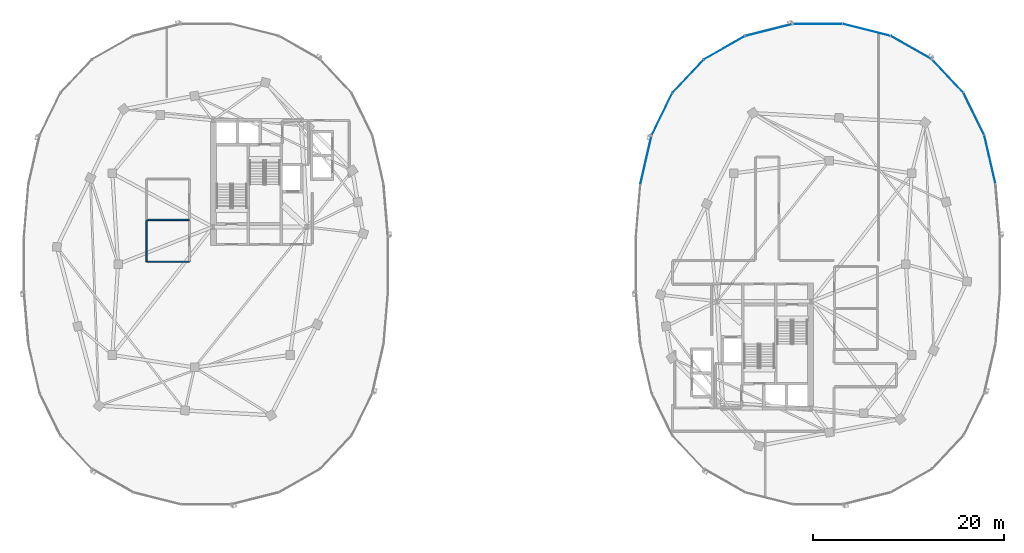
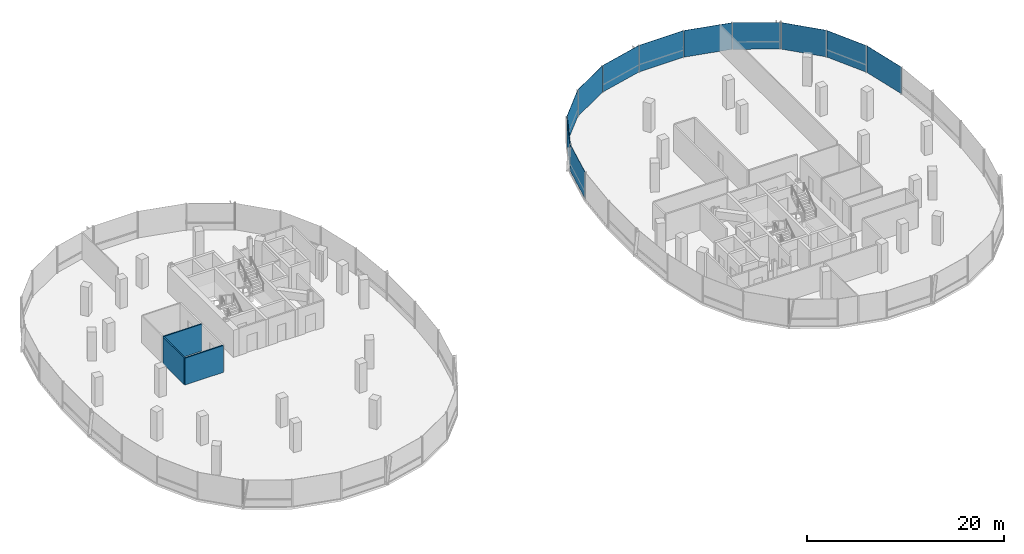
# One storey, part 14 of 24: 11 plates, 3 walls, 2 elements without a shape of their own.
"""IFC4 building model written with IfcOpenShell, lengths in metres."""

from ifc_helpers import new_model, si_unit, direction, frame, frame_2d, origin, origin_2d, place, context, subcontext, project, spatial, rectangle, extrude, material, layer, layer_set, type_object, element, aggregate, save


model = new_model("IFC4")

# Units and contexts
model_context = context("Model", 3, precision=1e-05, world=origin(), true_north=direction((0.0, 1.0)))
body_context = subcontext(model_context, "Body", "Model", "MODEL_VIEW")
ifc_project = project(units=[si_unit("LENGTHUNIT", "METRE"), si_unit("AREAUNIT", "SQUARE_METRE"), si_unit("VOLUMEUNIT", "CUBIC_METRE"), si_unit("PLANEANGLEUNIT", "RADIAN"), si_unit("MASSUNIT", "GRAM", prefix="KILO"), si_unit("THERMODYNAMICTEMPERATUREUNIT", "KELVIN"), si_unit("POWERUNIT", "WATT")], contexts=[model_context])

# Site, building, storey
site_placement = place(None, origin())
site = spatial("IfcSite", under=ifc_project, at=site_placement, CompositionType="ELEMENT")
building_placement = place(site_placement, origin())
building = spatial("IfcBuilding", under=site, at=building_placement, Name="Cundina Bronze Exchange", CompositionType="ELEMENT")
storey_placement = place(building_placement, frame((0.0, 0.0, 227.800048828125)))
storey = spatial("IfcBuildingStorey", under=building, at=storey_placement, Name="L60", CompositionType="ELEMENT", Elevation=227.800048828125)

# Curtain wall, plates
ifc_material_1 = material(Name="Anodised Bronze Aluminium 6063-T6", Category="aluminium")
curtain_wall_type = type_object("IfcCurtainWallType", Name="CWS-UPP-OFF", PredefinedType="NOTDEFINED", material=ifc_material_1)
curtain_wall_1_placement = place(storey_placement, origin())
curtain_wall_1 = element("IfcCurtainWall", 1, at=curtain_wall_1_placement, inside=storey, type_object=curtain_wall_type, Name="L60 CW-05 Curtain Wall Run CWR-L60-E1", PredefinedType="NOTDEFINED")
ifc_material_2 = material(Name="Heat-Strengthened Solar-Control Bronze Safety Glass 28mm", Category="glass")
ifc_layer_1 = layer(ifc_material_2, 0.028076171875, Name="Heat-Strengthened Solar-Control Bronze Safety Glass 28mm", Category="glass")
ifc_layer_set_1 = layer_set([ifc_layer_1], Name="Heat-Strengthened Solar-Control Bronze Safety Glass 28mm")
plate_type_1 = type_object("IfcPlateType", Name="PLT-GLZ-VIS28", PredefinedType="CURTAIN_PANEL", material=ifc_layer_set_1)
plate_1_placement = place(storey_placement, frame((49.98388671875, 10.92578125, 0.02001953125), z_axis=(0.0, 0.0, 1.0), x_axis=(-0.223284141459, 0.974753400698, 0.0)))
plate_1 = element("IfcPlate", 2, at=plate_1_placement, type_object=plate_type_1, Name="CW-05 Glazed Panel 2", PredefinedType="CURTAIN_PANEL", context=body_context, shape_type="SweptSolid", body=[
    extrude(rectangle(XDim=5.167724609375, YDim=0.028076171875, at=origin_2d()), origin(), (0.0, 0.0, 1.0), 3.300048828125),
])
plate_2_placement = place(storey_placement, frame((48.314697265625, 15.686767578125, 0.02001953125), z_axis=(0.0, 0.0, 1.0), x_axis=(-0.440503330345, 0.897750976582, 0.0)))
plate_2 = element("IfcPlate", 3, at=plate_2_placement, type_object=plate_type_1, Name="CW-05 Glazed Panel 3", PredefinedType="CURTAIN_PANEL", context=body_context, shape_type="SweptSolid", body=[
    extrude(rectangle(XDim=4.863525390625, YDim=0.028076171875, at=origin_2d()), origin(), (0.0, 0.0, 1.0), 3.300048828125),
])
plate_3_placement = place(storey_placement, frame((45.5791015625, 19.6552734375, 0.02001953125), z_axis=(0.0, 0.0, 1.0), x_axis=(-0.684343512797, 0.72915976061, 0.0)))
plate_3 = element("IfcPlate", 4, at=plate_3_placement, type_object=plate_type_1, Name="CW-05 Glazed Panel 4", PredefinedType="CURTAIN_PANEL", context=body_context, shape_type="SweptSolid", body=[
    extrude(rectangle(XDim=4.773193359375, YDim=0.028076171875, at=origin_2d()), origin(), (0.0, 0.0, 1.0), 3.300048828125),
])
plate_4_placement = place(storey_placement, frame((37.11279296875, 24.49609375, 0.02001953125), z_axis=(0.0, 0.0, 1.0), x_axis=(-0.969731542251, 0.244173577528, 0.0)))
plate_4 = element("IfcPlate", 5, at=plate_4_placement, type_object=plate_type_1, Name="CW-05 Glazed Panel 6", PredefinedType="CURTAIN_PANEL", context=body_context, shape_type="SweptSolid", body=[
    extrude(rectangle(XDim=5.0908203125, YDim=0.028076171875, at=origin_2d()), origin(), (0.0, 0.0, 1.0), 3.300048828125),
])
plate_5_placement = place(storey_placement, frame((32.0, 25.125, 0.02001953125), z_axis=(0.0, 0.0, 1.0), x_axis=(-1.0, 0.0, 0.0)))
plate_5 = element("IfcPlate", 6, at=plate_5_placement, type_object=plate_type_1, Name="CW-05 Glazed Panel 7", PredefinedType="CURTAIN_PANEL", context=body_context, shape_type="SweptSolid", body=[
    extrude(rectangle(XDim=5.16796875, YDim=0.028076171875, at=origin_2d()), origin(), (0.0, 0.0, 1.0), 3.300048828125),
])

curtain_wall_2_placement = place(storey_placement, origin())
curtain_wall_2 = element("IfcCurtainWall", 7, at=curtain_wall_2_placement, inside=storey, type_object=curtain_wall_type, Name="L60 CW-05 Curtain Wall Run CWR-L60-E2", PredefinedType="NOTDEFINED")
plate_6_placement = place(storey_placement, frame((26.88720703125, 24.49609375, 0.02001953125), z_axis=(0.0, 0.0, 1.0), x_axis=(-0.969731542251, -0.244173577528, 0.0)))
plate_6 = element("IfcPlate", 8, at=plate_6_placement, type_object=plate_type_1, Name="CW-05 Glazed Panel 1", PredefinedType="CURTAIN_PANEL", context=body_context, shape_type="SweptSolid", body=[
    extrude(rectangle(XDim=5.0908203125, YDim=0.028076171875, at=origin_2d()), origin(), (0.0, 0.0, 1.0), 3.300048828125),
])
plate_7_placement = place(storey_placement, frame((22.230712890625, 22.64111328125, 0.02001953125), z_axis=(0.0, 0.0, 1.0), x_axis=(-0.869572506985, -0.493805280547, 0.0)))
plate_7 = element("IfcPlate", 9, at=plate_7_placement, type_object=plate_type_1, Name="CW-05 Glazed Panel 2", PredefinedType="CURTAIN_PANEL", context=body_context, shape_type="SweptSolid", body=[
    extrude(rectangle(XDim=4.907958984375, YDim=0.028076171875, at=origin_2d()), origin(), (0.0, 0.0, 1.0), 3.300048828125),
])
plate_8_placement = place(storey_placement, frame((18.4208984375, 19.6552734375, 0.02001953125), z_axis=(0.0, 0.0, 1.0), x_axis=(-0.684343512797, -0.72915976061, 0.0)))
plate_8 = element("IfcPlate", 10, at=plate_8_placement, type_object=plate_type_1, Name="CW-05 Glazed Panel 3", PredefinedType="CURTAIN_PANEL", context=body_context, shape_type="SweptSolid", body=[
    extrude(rectangle(XDim=4.773193359375, YDim=0.028076171875, at=origin_2d()), origin(), (0.0, 0.0, 1.0), 3.300048828125),
])
plate_9_placement = place(storey_placement, frame((14.01611328125, 10.92578125, 0.02001953125), z_axis=(0.0, 0.0, 1.0), x_axis=(-0.223284141459, -0.974753400698, 0.0)))
plate_9 = element("IfcPlate", 11, at=plate_9_placement, type_object=plate_type_1, Name="CW-05 Glazed Panel 5", PredefinedType="CURTAIN_PANEL", context=body_context, shape_type="SweptSolid", body=[
    extrude(rectangle(XDim=5.167724609375, YDim=0.028076171875, at=origin_2d()), origin(), (0.0, 0.0, 1.0), 3.300048828125),
])

# Plate
ifc_material_3 = material(Name="Dark Bronze Spandrel Glass Panel 32mm", Category="glass")
ifc_layer_2 = layer(ifc_material_3, 0.031982421875, Name="Dark Bronze Spandrel Glass Panel 32mm", Category="glass")
ifc_layer_set_2 = layer_set([ifc_layer_2], Name="Dark Bronze Spandrel Glass Panel 32mm")
plate_type_2 = type_object("IfcPlateType", Name="PLT-SPN-BRZ32", PredefinedType="CURTAIN_PANEL", material=ifc_layer_set_2)
plate_10_placement = place(storey_placement, frame((41.769287109375, 22.64111328125, 0.02001953125), z_axis=(0.0, 0.0, 1.0), x_axis=(-0.869572506985, 0.493805280547, 0.0)))
plate_10 = element("IfcPlate", 12, at=plate_10_placement, type_object=plate_type_2, Name="CW-05 Glazed Panel 5", PredefinedType="CURTAIN_PANEL", context=body_context, shape_type="SweptSolid", body=[
    extrude(rectangle(XDim=4.907958984375, YDim=0.031982421875, at=origin_2d()), origin(), (0.0, 0.0, 1.0), 3.300048828125),
])

aggregate(curtain_wall_1, [plate_1, plate_2, plate_3, plate_10, plate_4, plate_5])

plate_11_placement = place(storey_placement, frame((15.685302734375, 15.686767578125, 0.02001953125), z_axis=(0.0, 0.0, 1.0), x_axis=(-0.440503330345, -0.897750976582, 0.0)))
plate_11 = element("IfcPlate", 13, at=plate_11_placement, type_object=plate_type_2, Name="CW-05 Glazed Panel 4", PredefinedType="CURTAIN_PANEL", context=body_context, shape_type="SweptSolid", body=[
    extrude(rectangle(XDim=4.863525390625, YDim=0.031982421875, at=origin_2d()), origin(), (0.0, 0.0, 1.0), 3.300048828125),
])

aggregate(curtain_wall_2, [plate_6, plate_7, plate_8, plate_11, plate_9])

# Walls
ifc_material_4 = material(Name="Moisture-Resistant Masonry Block Grade M15", Category="masonry")
ifc_layer_3 = layer(ifc_material_4, 0.139892578125, Name="Moisture-Resistant Masonry Block Grade M15", Category="masonry")
ifc_layer_set_3 = layer_set([ifc_layer_3], Name="Moisture-Resistant Masonry Block Grade M15")
wall_type = type_object("IfcWallType", Name="WL-WET-140", PredefinedType="PARTITIONING", material=ifc_layer_set_3)
wall_placement = place(storey_placement, frame((-38.239990234375, 0.27001953125, 0.0), z_axis=(0.0, 0.0, 1.0), x_axis=(0.0, 1.0, 0.0)))
element("IfcWall", 14, at=wall_placement, inside=storey, type_object=wall_type, Name="L60 Interior Partition 009", PredefinedType="PARTITIONING", context=body_context, shape_type="SweptSolid", body=[
    extrude(rectangle(XDim=4.27490234375, YDim=0.139892578125, at=frame_2d((2.137451171875, 0.0))), origin(), (0.0, 0.0, 1.0), 3.33984375),
])
for number, where, z_axis, x_axis, name in (
    (15, (-38.219970703125, 0.25, 0.0), (0.0, 0.0, 1.0), (1.0, 0.0, 0.0), "L60 Interior Partition 011"),
    (16, (-38.219970703125, 4.6298828125, 0.0), (0.0, 0.0, 1.0), (1.0, 0.0, 0.0), "L60 Interior Partition 012"),
):
    element("IfcWall", number, at=place(storey_placement, frame(where, z_axis=z_axis, x_axis=x_axis)), inside=storey, type_object=wall_type, Name=name, PredefinedType="PARTITIONING", context=body_context, shape_type="SweptSolid", body=[
        extrude(rectangle(XDim=4.47998046875, YDim=0.139892578125, at=frame_2d((2.239990234375, 0.0))), origin(), (0.0, 0.0, 1.0), 3.33984375),
    ])

save(model, "model.ifc")
